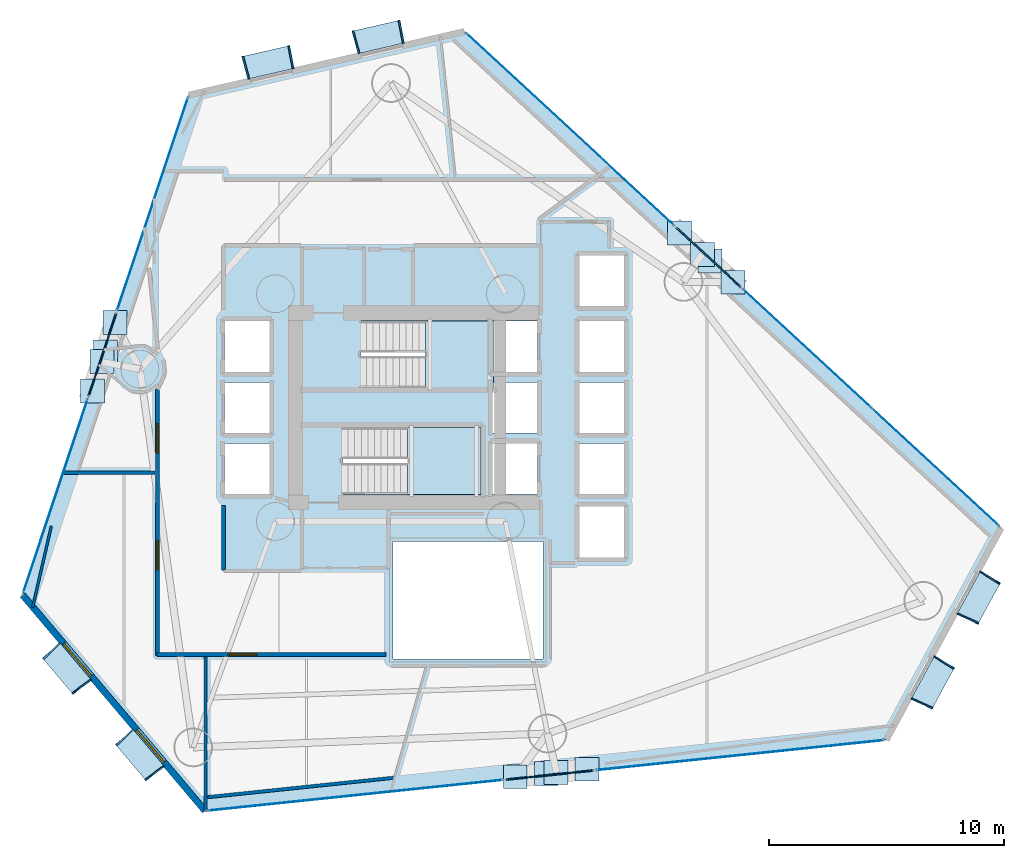
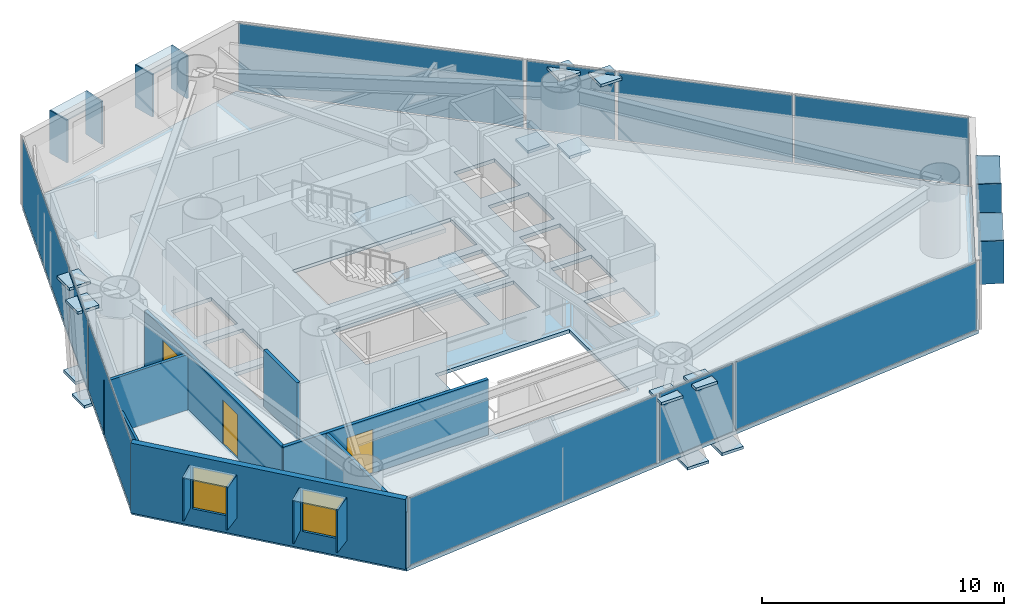
# One storey, part 17 of 23: 40 plates, 8 walls, 3 doors, 3 slabs, 2 windows, 5 openings, 11 elements without a shape of their own.
"""IFC4 building model written with IfcOpenShell, lengths in metres."""

from ifc_helpers import new_model, si_unit, direction, frame, frame_2d, origin, origin_2d, place, context, subcontext, project, spatial, polyline, rectangle, outline, extrude, material, layer, layer_set, type_object, element, fill, aggregate, save


model = new_model("IFC4")

# Units and contexts
model_context = context("Model", 3, precision=1e-05, world=origin(), true_north=direction((0.0, 1.0)))
body_context = subcontext(model_context, "Body", "Model", "MODEL_VIEW")
ifc_project = project(units=[si_unit("LENGTHUNIT", "METRE"), si_unit("AREAUNIT", "SQUARE_METRE"), si_unit("VOLUMEUNIT", "CUBIC_METRE"), si_unit("PLANEANGLEUNIT", "RADIAN"), si_unit("MASSUNIT", "GRAM", prefix="KILO")], contexts=[model_context])

# Site, building, storey
site_placement = place(None, origin())
site = spatial("IfcSite", under=ifc_project, at=site_placement, CompositionType="ELEMENT")
building_placement = place(site_placement, origin())
building = spatial("IfcBuilding", under=site, at=building_placement, Name="Qianvela Tower", CompositionType="ELEMENT")
storey_placement = place(building_placement, frame((0.0, 0.0, 67.300048828125)))
storey = spatial("IfcBuildingStorey", under=building, at=storey_placement, Name="L16", CompositionType="ELEMENT", Elevation=67.300048828125)

# Curtain wall, plate
ifc_material_1 = material(Name="Anodised Architectural Aluminium and Insulated Spandrel Panel", Category="aluminium")
ifc_layer_1 = layer(ifc_material_1, 0.179931640625)
ifc_layer_set_1 = layer_set([ifc_layer_1], Name="Anodised Architectural Aluminium and Insulated Spandrel Panel")
curtain_wall_type_1 = type_object("IfcCurtainWallType", Name="CW-BRACEBAY", PredefinedType="USERDEFINED", material=ifc_layer_set_1)
curtain_wall_1_placement = place(storey_placement, origin())
curtain_wall_1 = element("IfcCurtainWall", 1, at=curtain_wall_1_placement, inside=storey, type_object=curtain_wall_type_1, Name="L16 CW-BRACEBAY Curtain Wall 02B", ObjectType="CURTAIN_WALL_SYSTEM", PredefinedType="USERDEFINED")
ifc_material_2 = material(Name="Insulated Aluminium Spandrel Panel with Mineral-Wool Backpan", Category="aluminium")
ifc_layer_2 = layer(ifc_material_2, 0.06005859375)
ifc_layer_set_2 = layer_set([ifc_layer_2], Name="Insulated Aluminium Spandrel Panel with Mineral-Wool Backpan")
plate_type_1 = type_object("IfcPlateType", Name="CW-BRACEBAY-PNL", PredefinedType="CURTAIN_PANEL", material=ifc_layer_set_2)
plate_1_placement = place(storey_placement, frame((47.058349609375, 35.100341796875, 0.06494140625), z_axis=(0.0, 0.0, 1.0), x_axis=(-0.734289079648, 0.678836907887, 0.0)))
plate_1 = element("IfcPlate", 2, at=plate_1_placement, type_object=plate_type_1, Name="CW-9 panel 1.1", PredefinedType="CURTAIN_PANEL", context=body_context, shape_type="SweptSolid", body=[
    extrude(rectangle(XDim=3.739990234375, YDim=0.06005859375, at=origin_2d()), origin(), (0.0, 0.0, 1.0), 3.389892578125),
])
aggregate(curtain_wall_1, [plate_1])

curtain_wall_2_placement = place(storey_placement, origin())
curtain_wall_2 = element("IfcCurtainWall", 3, at=curtain_wall_2_placement, inside=storey, type_object=curtain_wall_type_1, Name="L16 CW-BRACEBAY Curtain Wall 04B", ObjectType="CURTAIN_WALL_SYSTEM", PredefinedType="USERDEFINED")
plate_2_placement = place(storey_placement, frame((21.23291015625, 30.957763671875, 0.06494140625), z_axis=(0.0, 0.0, 1.0), x_axis=(-0.315675894987, -0.948867076741, 0.0)))
plate_2 = element("IfcPlate", 4, at=plate_2_placement, type_object=plate_type_1, Name="CW-9 panel 1.1", PredefinedType="CURTAIN_PANEL", context=body_context, shape_type="SweptSolid", body=[
    extrude(rectangle(XDim=3.72998046875, YDim=0.06005859375, at=origin_2d()), origin(), (0.0, 0.0, 1.0), 3.389892578125),
])
aggregate(curtain_wall_2, [plate_2])

curtain_wall_3_placement = place(storey_placement, origin())
curtain_wall_3 = element("IfcCurtainWall", 5, at=curtain_wall_3_placement, inside=storey, type_object=curtain_wall_type_1, Name="L16 CW-BRACEBAY Curtain Wall 06B", ObjectType="CURTAIN_WALL_SYSTEM", PredefinedType="USERDEFINED")
plate_3_placement = place(storey_placement, frame((40.2880859375, 13.048583984375, 0.06494140625), z_axis=(0.0, 0.0, 1.0), x_axis=(0.99460817041, 0.103704326587, 0.0)))
plate_3 = element("IfcPlate", 6, at=plate_3_placement, type_object=plate_type_1, Name="CW-9 panel 1.1", PredefinedType="CURTAIN_PANEL", context=body_context, shape_type="SweptSolid", body=[
    extrude(rectangle(XDim=3.72998046875, YDim=0.06005859375, at=origin_2d()), origin(), (0.0, 0.0, 1.0), 3.389892578125),
])
aggregate(curtain_wall_3, [plate_3])

# Curtain wall, plates
ifc_material_3 = material(Name="Anodised Architectural Aluminium and Low-E Glass", Category="aluminium")
ifc_layer_3 = layer(ifc_material_3, 0.179931640625)
ifc_layer_set_3 = layer_set([ifc_layer_3], Name="Anodised Architectural Aluminium and Low-E Glass")
curtain_wall_type_2 = type_object("IfcCurtainWallType", Name="CW-COLIV-Z12", PredefinedType="USERDEFINED", material=ifc_layer_set_3)
curtain_wall_4_placement = place(storey_placement, origin())
curtain_wall_4 = element("IfcCurtainWall", 7, at=curtain_wall_4_placement, inside=storey, type_object=curtain_wall_type_2, Name="L16 CW-COLIV-Z12 Curtain Wall 02A", ObjectType="CURTAIN_WALL_SYSTEM", PredefinedType="USERDEFINED")
ifc_material_4 = material(Name="Double-Silver Low-E Insulated Glass", Category="glass")
ifc_layer_4 = layer(ifc_material_4, 0.030029296875)
ifc_layer_set_4 = layer_set([ifc_layer_4], Name="Double-Silver Low-E Insulated Glass")
plate_type_2 = type_object("IfcPlateType", Name="CW-COLIV-Z12-PNL", PredefinedType="CURTAIN_PANEL", material=ifc_layer_set_4)
plate_4_placement = place(storey_placement, frame((56.716064453125, 26.171875, 0.06494140625), z_axis=(0.0, 0.0, 1.0), x_axis=(-0.734283431982, 0.678843016843, 0.0)))
plate_4 = element("IfcPlate", 8, at=plate_4_placement, type_object=plate_type_2, Name="CW-3 panel 1.1", PredefinedType="CURTAIN_PANEL", context=body_context, shape_type="SweptSolid", body=[
    extrude(rectangle(XDim=7.385009765625, YDim=0.030029296875, at=origin_2d()), origin(), (0.0, 0.0, 1.0), 3.389892578125),
])
plate_5_placement = place(storey_placement, frame((51.241943359375, 31.232666015625, 0.06494140625), z_axis=(0.0, 0.0, 1.0), x_axis=(-0.734283431982, 0.678843016843, 0.0)))
plate_5 = element("IfcPlate", 9, at=plate_5_placement, type_object=plate_type_2, Name="CW-3 panel 2.1", PredefinedType="CURTAIN_PANEL", context=body_context, shape_type="SweptSolid", body=[
    extrude(rectangle(XDim=7.385009765625, YDim=0.030029296875, at=origin_2d()), origin(), (0.0, 0.0, 1.0), 3.389892578125),
])
aggregate(curtain_wall_4, [plate_4, plate_5])

# Curtain wall, plate
curtain_wall_5_placement = place(storey_placement, origin())
curtain_wall_5 = element("IfcCurtainWall", 10, at=curtain_wall_5_placement, inside=storey, type_object=curtain_wall_type_2, Name="L16 CW-COLIV-Z12 Curtain Wall 02C", ObjectType="CURTAIN_WALL_SYSTEM", PredefinedType="USERDEFINED")
plate_6_placement = place(storey_placement, frame((41.16357421875, 40.550048828125, 0.06494140625), z_axis=(0.0, 0.0, 1.0), x_axis=(-0.734286963283, 0.678839197125, 0.0)))
plate_6 = element("IfcPlate", 11, at=plate_6_placement, type_object=plate_type_2, Name="CW-3 panel 1.1", PredefinedType="CURTAIN_PANEL", context=body_context, shape_type="SweptSolid", body=[
    extrude(rectangle(XDim=12.046142578125, YDim=0.030029296875, at=origin_2d()), origin(), (0.0, 0.0, 1.0), 3.389892578125),
])
aggregate(curtain_wall_5, [plate_6])

curtain_wall_6_placement = place(storey_placement, origin())
curtain_wall_6 = element("IfcCurtainWall", 12, at=curtain_wall_6_placement, inside=storey, type_object=curtain_wall_type_2, Name="L16 CW-COLIV-Z12 Curtain Wall 04A", ObjectType="CURTAIN_WALL_SYSTEM", PredefinedType="USERDEFINED")
plate_7_placement = place(storey_placement, frame((23.3681640625, 37.376953125, 0.06494140625), z_axis=(0.0, 0.0, 1.0), x_axis=(-0.315644462544, -0.948877533334, 0.0)))
plate_7 = element("IfcPlate", 13, at=plate_7_placement, type_object=plate_type_2, Name="CW-3 panel 1.1", PredefinedType="CURTAIN_PANEL", context=body_context, shape_type="SweptSolid", body=[
    extrude(rectangle(XDim=9.530029296875, YDim=0.030029296875, at=origin_2d()), origin(), (0.0, 0.0, 1.0), 3.389892578125),
])
aggregate(curtain_wall_6, [plate_7])

curtain_wall_7_placement = place(storey_placement, origin())
curtain_wall_7 = element("IfcCurtainWall", 14, at=curtain_wall_7_placement, inside=storey, type_object=curtain_wall_type_2, Name="L16 CW-COLIV-Z12 Curtain Wall 04C", ObjectType="CURTAIN_WALL_SYSTEM", PredefinedType="USERDEFINED")
plate_8_placement = place(storey_placement, frame((19.2333984375, 24.947021484375, 0.06494140625), z_axis=(0.0, 0.0, 1.0), x_axis=(-0.315645364243, -0.948877233383, 0.0)))
plate_8 = element("IfcPlate", 15, at=plate_8_placement, type_object=plate_type_2, Name="CW-3 panel 1.1", PredefinedType="CURTAIN_PANEL", context=body_context, shape_type="SweptSolid", body=[
    extrude(rectangle(XDim=8.669189453125, YDim=0.030029296875, at=origin_2d()), origin(), (0.0, 0.0, 1.0), 3.389892578125),
])
aggregate(curtain_wall_7, [plate_8])

curtain_wall_8_placement = place(storey_placement, origin())
curtain_wall_8 = element("IfcCurtainWall", 16, at=curtain_wall_8_placement, inside=storey, type_object=curtain_wall_type_2, Name="L16 CW-COLIV-Z12 Curtain Wall 06A", ObjectType="CURTAIN_WALL_SYSTEM", PredefinedType="USERDEFINED")
plate_9_placement = place(storey_placement, frame((32.012939453125, 12.185546875, 0.06494140625), z_axis=(0.0, 0.0, 1.0), x_axis=(0.994606895827, 0.103716550137, 0.0)))
plate_9 = element("IfcPlate", 17, at=plate_9_placement, type_object=plate_type_2, Name="CW-3 panel 1.1", PredefinedType="CURTAIN_PANEL", context=body_context, shape_type="SweptSolid", body=[
    extrude(rectangle(XDim=12.64013671875, YDim=0.030029296875, at=origin_2d()), origin(), (0.0, 0.0, 1.0), 3.389892578125),
])
aggregate(curtain_wall_8, [plate_9])

curtain_wall_9_placement = place(storey_placement, origin())
curtain_wall_9 = element("IfcCurtainWall", 18, at=curtain_wall_9_placement, inside=storey, type_object=curtain_wall_type_2, Name="L16 CW-COLIV-Z12 Curtain Wall 06C", ObjectType="CURTAIN_WALL_SYSTEM", PredefinedType="USERDEFINED")
plate_10_placement = place(storey_placement, frame((48.390380859375, 13.893310546875, 0.06494140625), z_axis=(0.0, 0.0, 1.0), x_axis=(0.994607230573, 0.103713339993, 0.0)))
plate_10 = element("IfcPlate", 19, at=plate_10_placement, type_object=plate_type_2, Name="CW-3 panel 1.1", PredefinedType="CURTAIN_PANEL", context=body_context, shape_type="SweptSolid", body=[
    extrude(rectangle(XDim=12.292236328125, YDim=0.030029296875, at=origin_2d()), origin(), (0.0, 0.0, 1.0), 3.389892578125),
])
aggregate(curtain_wall_9, [plate_10])

# Plates
ifc_material_5 = material(Name="Steel Q420GJC", Category="steel")
ifc_layer_5 = layer(ifc_material_5, 0.139892578125)
ifc_layer_set_5 = layer_set([ifc_layer_5], Name="Steel Q420GJC")
plate_type_3 = type_object("IfcPlateType", Name="PT-GUSSET-NODE-140", PredefinedType="USERDEFINED", material=ifc_layer_set_5)
for number, where, z_axis, x_axis, name in (
    (20, (47.1083984375, 34.945068359375, -0.66357421875), (0.0, 0.0, 1.0), (1.0, 0.0, 0.0), "L16 Node Gusset Plate A"),
    (21, (48.0859375, 34.04150390625, 3.1591796875), (0.0, 0.0, 1.0), (1.0, 0.0, 0.0), "L16 Node Gusset Plate B"),
    (22, (45.82177734375, 36.134521484375, -0.66357421875), (0.0, 0.0, 1.0), (1.0, 0.0, 0.0), "L16 Node Gusset Plate A"),
    (23, (46.799072265625, 35.231201171875, 3.1591796875), (0.0, 0.0, 1.0), (1.0, 0.0, 0.0), "L16 Node Gusset Plate B"),
    (24, (21.3544921875, 31.06982421875, -0.66357421875), (0.0, 0.0, 1.0), (1.0, 0.0, 0.0), "L16 Node Gusset Plate A"),
    (25, (21.773193359375, 32.328857421875, 3.1591796875), (0.0, 0.0, 1.0), (1.0, 0.0, 0.0), "L16 Node Gusset Plate B"),
    (26, (20.80126953125, 29.406982421875, -0.66357421875), (0.0, 0.0, 1.0), (1.0, 0.0, 0.0), "L16 Node Gusset Plate A"),
    (27, (21.219970703125, 30.665771484375, 3.1591796875), (0.0, 0.0, 1.0), (1.0, 0.0, 0.0), "L16 Node Gusset Plate B"),
    (28, (40.137451171875, 13.11328125, -0.66357421875), (0.0, 0.0, 1.0), (1.0, 0.0, 0.0), "L16 Node Gusset Plate A"),
    (29, (38.81884765625, 12.975830078125, 3.1591796875), (0.0, 0.0, 1.0), (1.0, 0.0, 0.0), "L16 Node Gusset Plate B"),
    (30, (41.88037109375, 13.294921875, -0.66357421875), (0.0, 0.0, 1.0), (1.0, 0.0, 0.0), "L16 Node Gusset Plate A"),
    (31, (40.56201171875, 13.157470703125, 3.1591796875), (0.0, 0.0, 1.0), (1.0, 0.0, 0.0), "L16 Node Gusset Plate B"),
):
    element("IfcPlate", number, at=place(storey_placement, frame(where, z_axis=z_axis, x_axis=x_axis)), inside=storey, type_object=plate_type_3, Name=name, ObjectType="GUSSET_PLATE", PredefinedType="USERDEFINED", context=body_context, shape_type="SweptSolid", body=[
        extrude(rectangle(XDim=1.02001953125, YDim=1.02001953125, at=origin_2d()), origin(), (0.0, 0.0, 1.0), 0.139892578125),
    ])

# Slab
ifc_material_6 = material(Name="Concrete C40", Category="concrete")
ifc_layer_6 = layer(ifc_material_6, 0.179931640625)
ifc_layer_set_6 = layer_set([ifc_layer_6], Name="Concrete C40")
slab_type_1 = type_object("IfcSlabType", Name="SL-FLOOR-180", PredefinedType="FLOOR", material=ifc_layer_set_6)
slab_1_placement = place(storey_placement, frame((0.0, 0.0, -0.179931640625)))
element("IfcSlab", 32, at=slab_1_placement, inside=storey, type_object=slab_type_1, Name="L16 Composite Structural Floor Slab", PredefinedType="FLOOR", context=body_context, shape_type="SweptSolid", body=[
    extrude(outline(polyline([(54.622802734375, 14.543212890625), (59.515625, 23.583740234375), (36.652587890625, 44.72021484375), (24.91015625, 42.01220703125), (17.8271484375, 20.72021484375), (25.607666015625, 11.517578125), (54.622802734375, 14.543212890625)]), holes=[polyline([(40.0, 23.0), (33.60009765625, 23.0), (33.60009765625, 18.0), (40.0, 18.0), (40.0, 23.0)]), polyline([(28.360107421875, 25.02001953125), (28.360107421875, 27.179931640625), (26.43994140625, 27.179931640625), (26.43994140625, 25.02001953125), (28.360107421875, 25.02001953125)]), polyline([(37.35009765625, 25.0), (37.35009765625, 27.860107421875), (31.469970703125, 27.860107421875), (31.469970703125, 25.0), (37.35009765625, 25.0)]), polyline([(28.360107421875, 27.6201171875), (28.360107421875, 29.780029296875), (26.43994140625, 29.780029296875), (26.43994140625, 27.6201171875), (28.360107421875, 27.6201171875)]), polyline([(37.89990234375, 32.3798828125), (37.89990234375, 32.39990234375), (32.25, 32.39990234375), (32.25, 29.5400390625), (37.840087890625, 29.5400390625), (37.840087890625, 27.6201171875), (39.760009765625, 27.6201171875), (39.760009765625, 29.780029296875), (37.89990234375, 29.780029296875), (37.89990234375, 30.219970703125), (39.760009765625, 30.219970703125), (39.760009765625, 32.3798828125), (37.89990234375, 32.3798828125)]), polyline([(28.360107421875, 30.219970703125), (28.360107421875, 32.3798828125), (26.43994140625, 32.3798828125), (26.43994140625, 30.219970703125), (28.360107421875, 30.219970703125)]), polyline([(43.4599609375, 24.47998046875), (41.5400390625, 24.47998046875), (41.5400390625, 22.320068359375), (43.4599609375, 22.320068359375), (43.4599609375, 24.47998046875)]), polyline([(39.760009765625, 25.02001953125), (39.760009765625, 27.179931640625), (37.840087890625, 27.179931640625), (37.840087890625, 25.02001953125), (39.760009765625, 25.02001953125)]), polyline([(43.4599609375, 25.02001953125), (43.4599609375, 27.179931640625), (41.5400390625, 27.179931640625), (41.5400390625, 25.02001953125), (43.4599609375, 25.02001953125)]), polyline([(43.4599609375, 27.6201171875), (43.4599609375, 29.780029296875), (41.5400390625, 29.780029296875), (41.5400390625, 27.6201171875), (43.4599609375, 27.6201171875)]), polyline([(43.4599609375, 30.219970703125), (43.4599609375, 32.3798828125), (41.5400390625, 32.3798828125), (41.5400390625, 30.219970703125), (43.4599609375, 30.219970703125)]), polyline([(43.4599609375, 33.02001953125), (43.4599609375, 35.179931640625), (41.5400390625, 35.179931640625), (41.5400390625, 33.02001953125), (43.4599609375, 33.02001953125)])]), origin(), (0.0, 0.0, 1.0), 0.179931640625),
])

# Stair, slab
ifc_material_7 = material(Name="Concrete C40", Category="concrete")
stair_type = type_object("IfcStairType", Name="ST-DOGLEG-1350-R168-N22", PredefinedType="HALF_TURN_STAIR", material=ifc_material_7)
stair_1_placement = place(storey_placement, origin())
stair_1 = element("IfcStair", 33, at=stair_1_placement, inside=storey, type_object=stair_type, Name="L16 Smoke-Proof Core Stair ST-1", PredefinedType="HALF_TURN_STAIR")
ifc_material_8 = material(Name="Concrete C40", Category="concrete")
ifc_layer_7 = layer(ifc_material_8, 0.199951171875)
ifc_layer_set_7 = layer_set([ifc_layer_7], Name="Concrete C40")
slab_type_2 = type_object("IfcSlabType", Name="SL-STAIR-LANDING-200", PredefinedType="LANDING", material=ifc_layer_set_7)
slab_2_placement = place(storey_placement, frame((0.0, 0.0, 1.64990234375)))
slab_2 = element("IfcSlab", 34, at=slab_2_placement, type_object=slab_type_2, Name="ST-1 landing 1", PredefinedType="LANDING", context=body_context, shape_type="SweptSolid", body=[
    extrude(outline(polyline([(35.0, 29.5400390625), (37.89990234375, 29.5400390625), (37.89990234375, 32.39990234375), (35.0, 32.39990234375), (35.0, 29.5400390625)])), origin(), (0.0, 0.0, 1.0), 0.199951171875),
])
aggregate(stair_1, [slab_2])

stair_2_placement = place(storey_placement, origin())
stair_2 = element("IfcStair", 35, at=stair_2_placement, inside=storey, type_object=stair_type, Name="L16 Smoke-Proof Core Stair ST-2", PredefinedType="HALF_TURN_STAIR")
slab_3_placement = place(storey_placement, frame((0.0, 0.0, 1.64990234375)))
slab_3 = element("IfcSlab", 36, at=slab_3_placement, type_object=slab_type_2, Name="ST-2 landing 1", PredefinedType="LANDING", context=body_context, shape_type="SweptSolid", body=[
    extrude(outline(polyline([(34.219970703125, 25.0), (37.35009765625, 25.0), (37.35009765625, 27.860107421875), (34.219970703125, 27.860107421875), (34.219970703125, 25.0)])), origin(), (0.0, 0.0, 1.0), 0.199951171875),
])
aggregate(stair_2, [slab_3])

# Plates
ifc_material_9 = material(Name="Vitrified Architectural Terracotta Panel", Category="masonry")
ifc_layer_8 = layer(ifc_material_9, 0.06005859375)
ifc_layer_set_8 = layer_set([ifc_layer_8], Name="Vitrified Architectural Terracotta Panel")
plate_type_4 = type_object("IfcPlateType", Name="TERRACOTTA-SUNSHADE-HOOD-FOLD-A", PredefinedType="USERDEFINED", material=ifc_layer_set_8)
for number, where, z_axis, x_axis, name in (
    (37, (56.61376953125, 16.97216796875, 2.9599609375), (0.0, 0.0, 1.0), (0.475983424068, 0.879454251233, 0.0), "L16 Terracotta Sunshade Hood FOLD-A"),
    (38, (58.571044921875, 20.58837890625, 2.9599609375), (0.0, 0.0, 1.0), (0.475983424068, 0.879454251233, 0.0), "L16 Terracotta Sunshade Hood FOLD-A"),
    (39, (19.70703125, 17.5751953125, 2.9599609375), (0.0, 0.0, 1.0), (0.645640300621, -0.763641671344, 0.0), "L16 Terracotta Sunshade Hood FOLD-A"),
    (40, (22.819091796875, 13.894287109375, 2.9599609375), (0.0, 0.0, 1.0), (0.645640300621, -0.763641671344, 0.0), "L16 Terracotta Sunshade Hood FOLD-A"),
):
    element("IfcPlate", number, at=place(storey_placement, frame(where, z_axis=z_axis, x_axis=x_axis)), inside=storey, type_object=plate_type_4, Name=name, ObjectType="SUNSHADE", PredefinedType="USERDEFINED", context=body_context, shape_type="SweptSolid", body=[
        extrude(rectangle(XDim=2.0400390625, YDim=0.989990234375, at=origin_2d()), origin(), (0.0, 0.0, 1.0), 0.06005859375),
    ])
ifc_material_10 = material(Name="Vitrified Architectural Terracotta Panel", Category="masonry")
ifc_layer_9 = layer(ifc_material_10, 0.070068359375)
ifc_layer_set_9 = layer_set([ifc_layer_9], Name="Vitrified Architectural Terracotta Panel")
plate_type_5 = type_object("IfcPlateType", Name="TERRACOTTA-SUNSHADE-HOOD-FOLD-C", PredefinedType="USERDEFINED", material=ifc_layer_set_9)
for number, where, z_axis, x_axis, name in (
    (41, (32.99609375, 44.487548828125, 2.9599609375), (0.0, 0.0, 1.0), (-0.974424217207, -0.224716365494, 0.0), "L16 Terracotta Sunshade Hood FOLD-C"),
    (42, (28.29931640625, 43.404296875, 2.9599609375), (0.0, 0.0, 1.0), (-0.974424217207, -0.224716365494, 0.0), "L16 Terracotta Sunshade Hood FOLD-C"),
):
    element("IfcPlate", number, at=place(storey_placement, frame(where, z_axis=z_axis, x_axis=x_axis)), inside=storey, type_object=plate_type_5, Name=name, ObjectType="SUNSHADE", PredefinedType="USERDEFINED", context=body_context, shape_type="SweptSolid", body=[
        extrude(rectangle(XDim=2.0400390625, YDim=0.989990234375, at=origin_2d()), origin(), (0.0, 0.0, 1.0), 0.06005859375),
    ])
ifc_material_11 = material(Name="Vitrified Architectural Terracotta Side Fin Panel", Category="masonry")
ifc_layer_10 = layer(ifc_material_11, 0.06494140625)
ifc_layer_set_10 = layer_set([ifc_layer_10], Name="Vitrified Architectural Terracotta Side Fin Panel")
plate_type_6 = type_object("IfcPlateType", Name="TERRACOTTA-SUNSHADE-STRUT-FOLD-A", PredefinedType="USERDEFINED", material=ifc_layer_set_10)
for number, where, z_axis, x_axis, name in (
    (43, (56.142578125, 16.1015625, 0.85009765625), (0.0, 0.0, 1.0), (0.413476324985, 0.910514870102, 0.0), "L16 Terracotta Sunshade Side Fin HL FOLD-A"),
    (44, (57.085205078125, 17.843017578125, 0.85009765625), (0.0, 0.0, 1.0), (0.536171579755, 0.844109019655, 0.0), "L16 Terracotta Sunshade Side Fin HR FOLD-A"),
    (45, (58.099853515625, 19.7177734375, 0.85009765625), (0.0, 0.0, 1.0), (0.413476324985, 0.910514870102, 0.0), "L16 Terracotta Sunshade Side Fin HL FOLD-A"),
    (46, (59.042236328125, 21.458984375, 0.85009765625), (0.0, 0.0, 1.0), (0.536171579755, 0.844109019655, 0.0), "L16 Terracotta Sunshade Side Fin HR FOLD-A"),
    (47, (19.06787109375, 18.331298828125, 0.85009765625), (0.0, 0.0, 1.0), (0.697336503496, -0.716743887935, 0.0), "L16 Terracotta Sunshade Side Fin HL FOLD-A"),
    (48, (20.34619140625, 16.8193359375, 0.85009765625), (0.0, 0.0, 1.0), (0.590798603102, -0.806819069292, 0.0), "L16 Terracotta Sunshade Side Fin HR FOLD-A"),
    (49, (22.179931640625, 14.650390625, 0.85009765625), (0.0, 0.0, 1.0), (0.697336503496, -0.716743887935, 0.0), "L16 Terracotta Sunshade Side Fin HL FOLD-A"),
    (50, (23.45849609375, 13.13818359375, 0.85009765625), (0.0, 0.0, 1.0), (0.590798603102, -0.806819069292, 0.0), "L16 Terracotta Sunshade Side Fin HR FOLD-A"),
):
    element("IfcPlate", number, at=place(storey_placement, frame(where, z_axis=z_axis, x_axis=x_axis)), inside=storey, type_object=plate_type_6, Name=name, ObjectType="SUNSHADE", PredefinedType="USERDEFINED", context=body_context, shape_type="SweptSolid", body=[
        extrude(rectangle(XDim=0.06494140625, YDim=1.010009765625, at=origin_2d()), origin(), (0.0, 0.0, 1.0), 2.159912109375),
    ])
ifc_material_12 = material(Name="Vitrified Architectural Terracotta Side Fin Panel", Category="masonry")
ifc_layer_11 = layer(ifc_material_12, 0.074951171875)
ifc_layer_set_11 = layer_set([ifc_layer_11], Name="Vitrified Architectural Terracotta Side Fin Panel")
plate_type_7 = type_object("IfcPlateType", Name="TERRACOTTA-SUNSHADE-STRUT-FOLD-C", PredefinedType="USERDEFINED", material=ifc_layer_set_11)
for number, where, z_axis, x_axis, name in (
    (51, (33.9609375, 44.710205078125, 0.85009765625), (0.0, 0.0, 1.0), (-0.981673112358, -0.1905725596, 0.0), "L16 Terracotta Sunshade Side Fin HL FOLD-C"),
    (52, (32.031494140625, 44.26513671875, 0.85009765625), (0.0, 0.0, 1.0), (-0.965988136245, -0.258586389111, 0.0), "L16 Terracotta Sunshade Side Fin HR FOLD-C"),
    (53, (29.263916015625, 43.626953125, 0.85009765625), (0.0, 0.0, 1.0), (-0.981673112358, -0.1905725596, 0.0), "L16 Terracotta Sunshade Side Fin HL FOLD-C"),
    (54, (27.334716796875, 43.181884765625, 0.85009765625), (0.0, 0.0, 1.0), (-0.965988136245, -0.258586389111, 0.0), "L16 Terracotta Sunshade Side Fin HR FOLD-C"),
):
    element("IfcPlate", number, at=place(storey_placement, frame(where, z_axis=z_axis, x_axis=x_axis)), inside=storey, type_object=plate_type_7, Name=name, ObjectType="SUNSHADE", PredefinedType="USERDEFINED", context=body_context, shape_type="SweptSolid", body=[
        extrude(rectangle(XDim=0.074951171875, YDim=1.010009765625, at=origin_2d()), origin(), (0.0, 0.0, 1.0), 2.159912109375),
    ])

# Wall, openings, windows
ifc_material_13 = material(Name="Terracotta Cladding on Concrete C40", Category="masonry")
ifc_layer_12 = layer(ifc_material_13, 0.280029296875)
ifc_layer_set_12 = layer_set([ifc_layer_12], Name="Terracotta Cladding on Concrete C40")
wall_type_1 = type_object("IfcWallType", Name="TERRACOTTA-WALL-280", PredefinedType="SOLIDWALL", material=ifc_layer_set_12)
wall_1_placement = place(storey_placement, frame((17.8271484375, 20.72021484375, 0.0), z_axis=(0.0, 0.0, 1.0), x_axis=(0.645636137958, -0.763645190755, 0.0)))
wall_1 = element("IfcWall", 55, at=wall_1_placement, inside=storey, type_object=wall_type_1, Name="L16 Terracotta Chamfer Facet Wall 5", PredefinedType="SOLIDWALL", context=body_context, shape_type="SweptSolid", body=[
    extrude(rectangle(XDim=12.051025390625, YDim=0.280029296875, at=frame_2d((6.025390625, 0.0))), origin(), (0.0, 0.0, 1.0), 3.52001953125),
])
opening_1_placement = place(wall_1_placement, frame((2.715087890625, 0.0, 0.85009765625)))
opening_1 = element("IfcOpeningElement", 56, at=opening_1_placement, cuts=wall_1, Name="Opening W-01", PredefinedType="OPENING", context=body_context, shape_type="SweptSolid", body=[
    extrude(rectangle(XDim=1.800048828125, YDim=2.10009765625, at=frame_2d((0.89990234375, 1.050048828125))), frame((0.0, 0.14990234375, 0.0), z_axis=(0.0, -1.0, 0.0), x_axis=(1.0, 0.0, 0.0)), (0.0, 0.0, 1.0), 0.300048828125),
])
opening_2_placement = place(wall_1_placement, frame((7.53564453125, 0.0, 0.85009765625)))
opening_2 = element("IfcOpeningElement", 57, at=opening_2_placement, cuts=wall_1, Name="Opening W-01", PredefinedType="OPENING", context=body_context, shape_type="SweptSolid", body=[
    extrude(rectangle(XDim=1.800048828125, YDim=2.10009765625, at=frame_2d((0.89990234375, 1.050048828125))), frame((0.0, 0.14990234375, 0.0), z_axis=(0.0, -1.0, 0.0), x_axis=(1.0, 0.0, 0.0)), (0.0, 0.0, 1.0), 0.300048828125),
])
ifc_material_14 = material(Name="Thermally Broken Aluminium and Low-E Glass", Category="aluminium")
window_type = type_object("IfcWindowType", Name="WIN-TC-1800x2100", PartitioningType="DOUBLE_PANEL_VERTICAL", PredefinedType="WINDOW", material=ifc_material_14)
window_1_placement = place(opening_1_placement, origin())
window_1 = element("IfcWindow", 58, at=window_1_placement, inside=storey, type_object=window_type, Name="L16 Chamfer Facet Window 5.1", OverallHeight=2.10009765625, OverallWidth=1.800048828125, PartitioningType="SINGLE_PANEL", PredefinedType="WINDOW", context=body_context, shape_type="SweptSolid", body=[
    extrude(rectangle(XDim=1.800048828125, YDim=2.10009765625, at=frame_2d((0.89990234375, 1.050048828125))), frame((0.0, 0.030029296875, 0.0), z_axis=(0.0, -1.0, 0.0), x_axis=(1.0, 0.0, 0.0)), (0.0, 0.0, 1.0), 0.06005859375),
])
fill(opening_1, window_1)
window_2_placement = place(opening_2_placement, origin())
window_2 = element("IfcWindow", 59, at=window_2_placement, inside=storey, type_object=window_type, Name="L16 Chamfer Facet Window 5.2", OverallHeight=2.10009765625, OverallWidth=1.800048828125, PartitioningType="SINGLE_PANEL", PredefinedType="WINDOW", context=body_context, shape_type="SweptSolid", body=[
    extrude(rectangle(XDim=1.800048828125, YDim=2.10009765625, at=frame_2d((0.89990234375, 1.050048828125))), frame((0.0, 0.030029296875, 0.0), z_axis=(0.0, -1.0, 0.0), x_axis=(1.0, 0.0, 0.0)), (0.0, 0.0, 1.0), 0.06005859375),
])
fill(opening_2, window_2)

# Wall
ifc_material_15 = material(Name="Fire-Rated Gypsum and Concrete Block", Category="concrete")
ifc_layer_13 = layer(ifc_material_15, 0.159912109375)
ifc_layer_set_13 = layer_set([ifc_layer_13], Name="Fire-Rated Gypsum and Concrete Block")
wall_type_2 = type_object("IfcWallType", Name="WT-CORR-160", PredefinedType="PARTITIONING", material=ifc_layer_set_13)
wall_2_placement = place(storey_placement, frame((26.388916015625, 24.530517578125, 0.0), z_axis=(0.0, 0.0, 1.0), x_axis=(0.0, -1.0, 0.0)))
element("IfcWall", 60, at=wall_2_placement, inside=storey, type_object=wall_type_2, Name="L16 Partition 44", PredefinedType="PARTITIONING", context=body_context, shape_type="SweptSolid", body=[
    extrude(rectangle(XDim=2.75048828125, YDim=0.159912109375, at=frame_2d((1.375244140625, 0.0))), origin(), (0.0, 0.0, 1.0), 2.83984375),
])

# Wall, opening, door
wall_3_placement = place(storey_placement, frame((33.320068359375, 18.180908203125, 0.0), z_axis=(0.0, 0.0, 1.0), x_axis=(-1.0, 0.0, 0.0)))
wall_3 = element("IfcWall", 61, at=wall_3_placement, inside=storey, type_object=wall_type_2, Name="L16 Partition 46", PredefinedType="PARTITIONING", context=body_context, shape_type="SweptSolid", body=[
    extrude(rectangle(XDim=9.77001953125, YDim=0.159912109375, at=frame_2d((4.885009765625, 0.0))), origin(), (0.0, 0.0, 1.0), 2.7978515625),
])
opening_3_placement = place(wall_3_placement, frame((5.49853515625, 0.0, 0.0)))
opening_3 = element("IfcOpeningElement", 62, at=opening_3_placement, cuts=wall_3, Name="Opening D-LG1", PredefinedType="OPENING", context=body_context, shape_type="SweptSolid", body=[
    extrude(rectangle(XDim=1.25, YDim=2.199951171875, at=frame_2d((0.625, 1.10009765625))), frame((0.0, 0.08984375, 0.0), z_axis=(0.0, -1.0, 0.0), x_axis=(1.0, 0.0, 0.0)), (0.0, 0.0, 1.0), 0.179931640625),
])
ifc_material_16 = material(Name="Anodised Aluminium Acoustic Glass Door", Category="aluminium")
door_type = type_object("IfcDoorType", Name="DT-LOUNGE-1250", OperationType="NOTDEFINED", PredefinedType="DOOR", material=ifc_material_16)
door_1_placement = place(opening_3_placement, origin())
door_1 = element("IfcDoor", 63, at=door_1_placement, inside=storey, type_object=door_type, Name="L16 Door Graduate Seminar Classroom L16-02 to L16 Floor Corridor", OperationType="SINGLE_SWING_RIGHT", OverallHeight=2.199951171875, OverallWidth=1.25, PredefinedType="DOOR", context=body_context, shape_type="SweptSolid", body=[
    extrude(rectangle(XDim=1.25, YDim=2.199951171875, at=frame_2d((0.625, 1.10009765625))), frame((0.0, 0.02490234375, 0.0), z_axis=(0.0, -1.0, 0.0), x_axis=(1.0, 0.0, 0.0)), (0.0, 0.0, 1.0), 0.050048828125),
])
fill(opening_3, door_1)

# Wall, openings, doors
wall_4_placement = place(storey_placement, frame((23.5810546875, 18.14990234375, 0.0), z_axis=(0.0, 0.0, 1.0), x_axis=(0.0, 1.0, 0.0)))
wall_4 = element("IfcWall", 64, at=wall_4_placement, inside=storey, type_object=wall_type_2, Name="L16 Partition 47", PredefinedType="PARTITIONING", context=body_context, shape_type="SweptSolid", body=[
    extrude(rectangle(XDim=11.3330078125, YDim=0.159912109375, at=frame_2d((5.66650390625, 0.0))), origin(), (0.0, 0.0, 1.0), 2.7978515625),
])
opening_4_placement = place(wall_4_placement, frame((3.6494140625, 0.0, 0.0)))
opening_4 = element("IfcOpeningElement", 65, at=opening_4_placement, cuts=wall_4, Name="Opening D-LG1", PredefinedType="OPENING", context=body_context, shape_type="SweptSolid", body=[
    extrude(rectangle(XDim=1.25, YDim=2.199951171875, at=frame_2d((0.625, 1.10009765625))), frame((0.0, 0.08984375, 0.0), z_axis=(0.0, -1.0, 0.0), x_axis=(1.0, 0.0, 0.0)), (0.0, 0.0, 1.0), 0.179931640625),
])
opening_5_placement = place(wall_4_placement, frame((8.616943359375, 0.0, 0.0)))
opening_5 = element("IfcOpeningElement", 66, at=opening_5_placement, cuts=wall_4, Name="Opening D-LG1", PredefinedType="OPENING", context=body_context, shape_type="SweptSolid", body=[
    extrude(rectangle(XDim=1.25, YDim=2.199951171875, at=frame_2d((0.625, 1.10009765625))), frame((0.0, 0.08984375, 0.0), z_axis=(0.0, -1.0, 0.0), x_axis=(1.0, 0.0, 0.0)), (0.0, 0.0, 1.0), 0.179931640625),
])
door_2_placement = place(opening_4_placement, origin())
door_2 = element("IfcDoor", 67, at=door_2_placement, inside=storey, type_object=door_type, Name="L16 Door Debate Lecture Classroom L16-01 to L16 Floor Corridor", OperationType="SINGLE_SWING_LEFT", OverallHeight=2.199951171875, OverallWidth=1.25, PredefinedType="DOOR", context=body_context, shape_type="SweptSolid", body=[
    extrude(rectangle(XDim=1.25, YDim=2.199951171875, at=frame_2d((0.625, 1.10009765625))), frame((0.0, 0.02490234375, 0.0), z_axis=(0.0, -1.0, 0.0), x_axis=(1.0, 0.0, 0.0)), (0.0, 0.0, 1.0), 0.050048828125),
])
fill(opening_4, door_2)
door_3_placement = place(opening_5_placement, origin())
door_3 = element("IfcDoor", 68, at=door_3_placement, inside=storey, type_object=door_type, Name="L16 Door Campus Convenience Shop L16-05 to L16 Floor Corridor", OperationType="SINGLE_SWING_RIGHT", OverallHeight=2.199951171875, OverallWidth=1.25, PredefinedType="DOOR", context=body_context, shape_type="SweptSolid", body=[
    extrude(rectangle(XDim=1.25, YDim=2.199951171875, at=frame_2d((0.625, 1.10009765625))), frame((0.0, 0.02490234375, 0.0), z_axis=(0.0, -1.0, 0.0), x_axis=(1.0, 0.0, 0.0)), (0.0, 0.0, 1.0), 0.050048828125),
])
fill(opening_5, door_3)

# Walls
ifc_material_17 = material(Name="Lightweight Gypsum Room Partition")
ifc_layer_14 = layer(ifc_material_17, 0.10498046875)
ifc_layer_set_14 = layer_set([ifc_layer_14], Name="Lightweight Gypsum Room Partition")
wall_type_3 = type_object("IfcWallType", Name="WT-PART-105", PredefinedType="PARTITIONING", material=ifc_layer_set_14)
wall_5_placement = place(storey_placement, frame((18.256591796875, 20.185791015625, 0.0), z_axis=(0.0, 0.0, 1.0), x_axis=(0.224608979618, 0.974448975716, 0.0)))
element("IfcWall", 69, at=wall_5_placement, inside=storey, type_object=wall_type_3, Name="L16 Partition 54 seg 1", PredefinedType="PARTITIONING", context=body_context, shape_type="SweptSolid", body=[
    extrude(rectangle(XDim=3.55859375, YDim=0.10498046875, at=frame_2d((1.779296875, 0.0))), origin(), (0.0, 0.0, 1.0), 2.83984375),
])
ifc_material_18 = material(Name="Acoustic Double Gypsum Stud Partition")
ifc_layer_15 = layer(ifc_material_18, 0.139892578125)
ifc_layer_set_15 = layer_set([ifc_layer_15], Name="Acoustic Double Gypsum Stud Partition")
wall_type_4 = type_object("IfcWallType", Name="WT-ROOM-140", PredefinedType="PARTITIONING", material=ifc_layer_set_15)
wall_6_placement = place(storey_placement, frame((25.61865234375, 18.070068359375, 0.0), z_axis=(0.0, 0.0, 1.0), x_axis=(0.0, -1.0, 0.0)))
element("IfcWall", 70, at=wall_6_placement, inside=storey, type_object=wall_type_4, Name="L16 Partition 52", PredefinedType="PARTITIONING", context=body_context, shape_type="SweptSolid", body=[
    extrude(rectangle(XDim=6.5712890625, YDim=0.139892578125, at=frame_2d((3.28564453125, 0.0))), origin(), (0.0, 0.0, 1.0), 2.7978515625),
])
wall_7_placement = place(storey_placement, frame((19.539306640625, 25.927001953125, 0.0), z_axis=(0.0, 0.0, 1.0), x_axis=(1.0, 0.0, 0.0)))
element("IfcWall", 71, at=wall_7_placement, inside=storey, type_object=wall_type_4, Name="L16 Partition 55", PredefinedType="PARTITIONING", context=body_context, shape_type="SweptSolid", body=[
    extrude(rectangle(XDim=3.9306640625, YDim=0.139892578125, at=frame_2d((1.96533203125, 0.0))), origin(), (0.0, 0.0, 1.0), 2.7978515625),
])
wall_8_placement = place(storey_placement, frame((33.699462890625, 12.940673828125, 0.0), z_axis=(0.0, 0.0, 1.0), x_axis=(-0.994606169047, -0.103723519483, 0.0)))
element("IfcWall", 72, at=wall_8_placement, inside=storey, type_object=wall_type_4, Name="L16 Partition 58", PredefinedType="PARTITIONING", context=body_context, shape_type="SweptSolid", body=[
    extrude(rectangle(XDim=8.01220703125, YDim=0.139892578125, at=frame_2d((4.006103515625, 0.0))), origin(), (0.0, 0.0, 1.0), 2.83984375),
])

save(model, "model.ifc")
